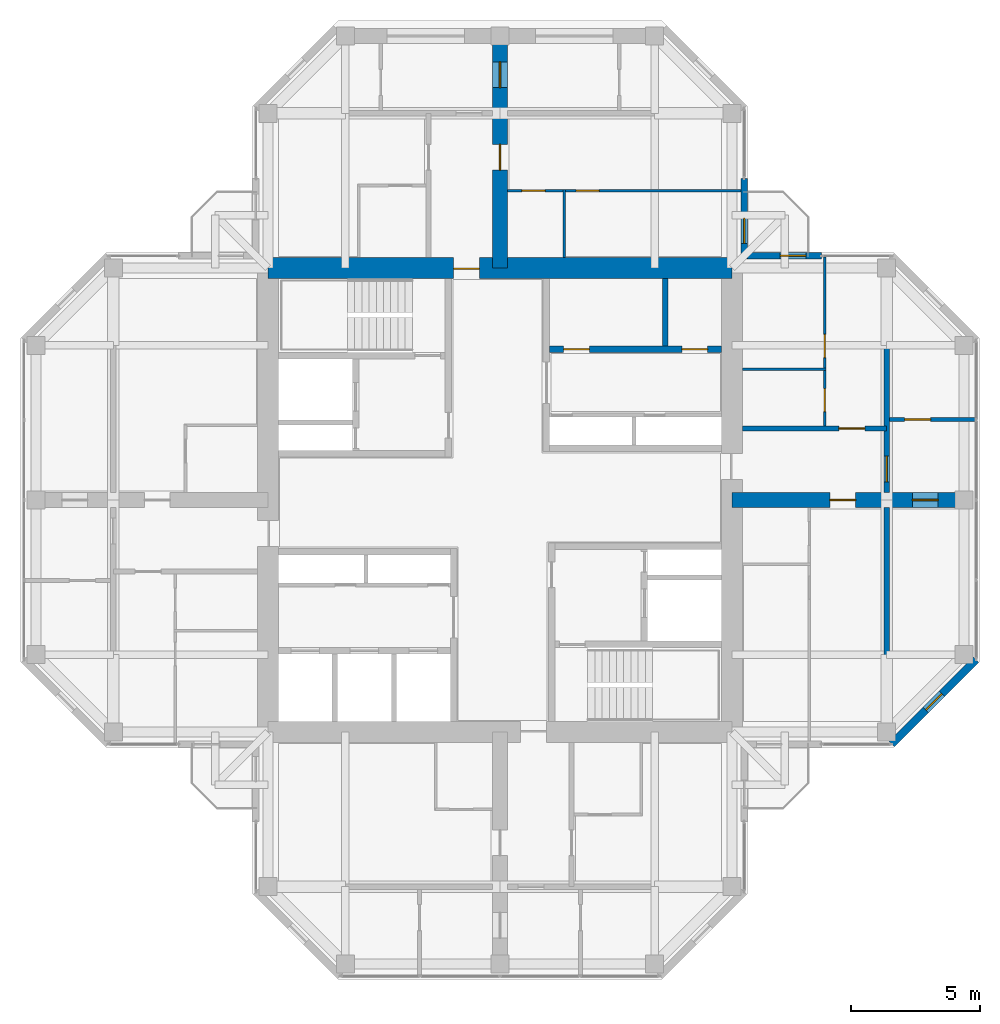
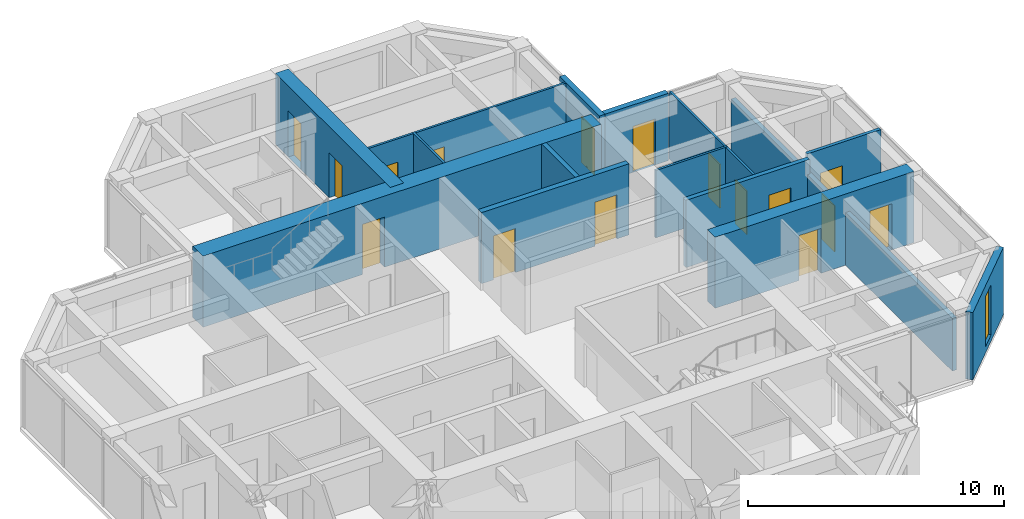
# One storey, part 11 of 13: 16 doors, 16 walls, 1 window, 17 openings.
"""IFC4 building model written with IfcOpenShell, lengths in metres."""

import ifcopenshell
import ifcopenshell.guid

model = None  # the IFC model being written
_history = None  # IfcOwnerHistory: only IFC2X3 demands one
_inside = {}  # id of a spatial element -> (the spatial element, [elements in it])
_under = {}  # id of a project, library or spatial element -> (it, [spatial elements below it])
_declared = {}  # id of a project -> (the project, [libraries it declares])
_typed = {}  # id of a type object -> (the type object, [elements of that type])
_made_of = {}  # id of a material, layer set ... -> (it, [elements and type objects made of it])


def new_model(schema):
    """Start an empty IFC model of exactly this schema.

    Asked for "IFC4X3", IfcOpenShell would pick the latest addendum, in which some entities
    have other attributes; the version numbers below select the first issue.
    IFC2X3 requires an IfcOwnerHistory on every rooted entity: one is made here for all.
    """
    global model, _history
    if schema == "IFC4X3":
        model = ifcopenshell.file(schema_version=(4, 3, 0, 0))
    else:
        model = ifcopenshell.file(schema=schema)
    _inside.clear()
    _under.clear()
    _declared.clear()
    _typed.clear()
    _made_of.clear()
    _history = None
    if model.schema == "IFC2X3":
        org = make("IfcOrganization", Name="unknown")
        user = make(
            "IfcPersonAndOrganization",
            ThePerson=make("IfcPerson", FamilyName="unknown"),
            TheOrganization=org,
        )
        app = make(
            "IfcApplication",
            ApplicationDeveloper=org,
            Version="unknown",
            ApplicationFullName="unknown",
            ApplicationIdentifier="unknown",
        )
        _history = make(
            "IfcOwnerHistory",
            OwningUser=user,
            OwningApplication=app,
            ChangeAction="ADDED",
            CreationDate=0,
        )
    return model


def make(cls, **values):
    """One entity of the class cls with the attributes given. An attribute that is None is left unset."""
    return model.create_entity(
        cls, **{name: value for name, value in values.items() if value is not None}
    )


def rooted(cls, **values):
    """An entity with a GlobalId (a new one), such as an element, a storey or a relation."""
    return make(cls, GlobalId=ifcopenshell.guid.new(), OwnerHistory=_history, **values)


def si_unit(unit_type, name, prefix=None):
    """IfcSIUnit, for example si_unit("LENGTHUNIT", "METRE", prefix="MILLI")."""
    return make("IfcSIUnit", UnitType=unit_type, Prefix=prefix, Name=name)


def assignment(units):
    """IfcUnitAssignment: the units of a project."""
    return None if units is None else make("IfcUnitAssignment", Units=units)


def point(xyz):
    """IfcCartesianPoint."""
    return None if xyz is None else make("IfcCartesianPoint", Coordinates=xyz)


def direction(xyz):
    """IfcDirection."""
    return None if xyz is None else make("IfcDirection", DirectionRatios=xyz)


def frame(location, z_axis=None, x_axis=None):
    """IfcAxis2Placement3D, a coordinate frame: its origin and axes. An axis left out is left unset."""
    return make(
        "IfcAxis2Placement3D",
        Location=point(location),
        Axis=direction(z_axis),
        RefDirection=direction(x_axis),
    )


def frame_2d(location, x_axis=None):
    """IfcAxis2Placement2D, a coordinate frame in the plane: its origin and x axis."""
    return make(
        "IfcAxis2Placement2D", Location=point(location), RefDirection=direction(x_axis)
    )


def origin():
    """The frame at (0, 0, 0) with its axes left unset."""
    return frame((0.0, 0.0, 0.0))


def place(relative_to, where):
    """IfcLocalPlacement: puts the frame where relative to a parent placement (None: the world)."""
    return make(
        "IfcLocalPlacement", PlacementRelTo=relative_to, RelativePlacement=where
    )


def context(
    kind, dimensions, precision=None, world=None, true_north=None, identifier=None
):
    """IfcGeometricRepresentationContext, for example the 3D "Model" context."""
    return make(
        "IfcGeometricRepresentationContext",
        ContextIdentifier=identifier,
        ContextType=kind,
        CoordinateSpaceDimension=dimensions,
        Precision=precision,
        WorldCoordinateSystem=world,
        TrueNorth=true_north,
    )


def subcontext(parent, identifier, kind, view, scale=None):
    """IfcGeometricRepresentationSubContext, for example "Body" below "Model"."""
    return make(
        "IfcGeometricRepresentationSubContext",
        ContextIdentifier=identifier,
        ContextType=kind,
        ParentContext=parent,
        TargetScale=scale,
        TargetView=view,
    )


def project(units=None, contexts=None):
    """IfcProject with its units and contexts."""
    return rooted(
        "IfcProject",
        Name="project",
        RepresentationContexts=contexts,
        UnitsInContext=assignment(units),
    )


def spatial(cls, under=None, at=None, **own):
    """A site, building, storey or space (cls), placed at a placement, below another one or the project."""
    s = rooted(cls, ObjectPlacement=at, **own)
    if under is not None:
        _under.setdefault(under.id(), (under, []))[1].append(s)
    return s


def profile(cls, at=None, kind="AREA", **sizes):
    """A parametric profile (cls). Its sizes go by their IFC names, for example OverallWidth=200.0."""
    return make(cls, ProfileType=kind, Position=at, **sizes)


def rectangle(**sizes):
    """IfcRectangleProfileDef."""
    return profile("IfcRectangleProfileDef", **sizes)


def hollow_rectangle(**sizes):
    """IfcRectangleHollowProfileDef."""
    return profile("IfcRectangleHollowProfileDef", **sizes)


def extrude(swept, where, along, depth):
    """IfcExtrudedAreaSolid: the profile swept, set in the frame where, extruded along a direction by depth."""
    return make(
        "IfcExtrudedAreaSolid",
        SweptArea=swept,
        Position=where,
        ExtrudedDirection=direction(along),
        Depth=depth,
    )


def shape(context_of_items, identifier, shape_type, items):
    """IfcShapeRepresentation: the items that make up one representation, for example the "Body"."""
    return make(
        "IfcShapeRepresentation",
        ContextOfItems=context_of_items,
        RepresentationIdentifier=identifier,
        RepresentationType=shape_type,
        Items=items,
    )


def material(Name=None, Category=None):
    """IfcMaterial."""
    return make("IfcMaterial", Name=Name, Category=Category)


def layer(
    of_material, thickness, ventilated=None, Name=None, Category=None, Priority=None
):
    """IfcMaterialLayer: one layer of a wall or slab, of a material (None: an air gap)."""
    return make(
        "IfcMaterialLayer",
        Material=of_material,
        LayerThickness=thickness,
        IsVentilated=ventilated,
        Name=Name,
        Category=Category,
        Priority=Priority,
    )


def layer_set(layers, Name=None):
    """IfcMaterialLayerSet."""
    return make("IfcMaterialLayerSet", MaterialLayers=layers, LayerSetName=Name)


def constituent(of_material, Name=None, Category=None, fraction=None):
    """IfcMaterialConstituent: one of the materials an element consists of."""
    return make(
        "IfcMaterialConstituent",
        Name=Name,
        Material=of_material,
        Fraction=fraction,
        Category=Category,
    )


def constituent_set(constituents=None, Name=None):
    """IfcMaterialConstituentSet."""
    return make(
        "IfcMaterialConstituentSet", Name=Name, MaterialConstituents=constituents
    )


def made_of(thing, what):
    """Note that an element or type object is made of a material, layer set ...; save() writes the relation."""
    if what is not None:
        _made_of.setdefault(what.id(), (what, []))[1].append(thing)
    return thing


def type_object(cls, material=None, **own):
    """A type object (cls), such as IfcWallType, which elements share."""
    return made_of(rooted(cls, **own), material)


def element(
    cls,
    number,
    at=None,
    inside=None,
    cuts=None,
    type_object=None,
    material=None,
    context=None,
    identifier="Body",
    shape_type=None,
    held_by="IfcProductDefinitionShape",
    body=None,
    shapes=None,
    **own,
):
    """One element of the class cls, such as IfcWall. Its Tag is "e" and its number.

    at: its placement. inside: the storey or other place that contains it. cuts: it is an
    opening in that element (IfcRelVoidsElement). A single representation is given by context,
    identifier, shape_type and body (its items); several are given by shapes. held_by: the class
    of the entity that holds the representations. save() writes the other relations.
    """
    e = rooted(cls, Tag="e%d" % number, ObjectPlacement=at, **own)
    if body is not None:
        shapes = [shape(context, identifier, shape_type, body)]
    if shapes is not None:
        e.Representation = make(held_by, Representations=shapes)
    if inside is not None:
        _inside.setdefault(inside.id(), (inside, []))[1].append(e)
    if cuts is not None:
        rooted(
            "IfcRelVoidsElement", RelatingBuildingElement=cuts, RelatedOpeningElement=e
        )
    if type_object is not None:
        _typed.setdefault(type_object.id(), (type_object, []))[1].append(e)
    return made_of(e, material)


def fill(opening, filler):
    """IfcRelFillsElement: the door or window that sits in an opening."""
    return rooted(
        "IfcRelFillsElement",
        RelatingOpeningElement=opening,
        RelatedBuildingElement=filler,
    )


def aggregate(whole, parts):
    """IfcRelAggregates: a whole, such as a stair, and the parts it consists of."""
    return rooted("IfcRelAggregates", RelatingObject=whole, RelatedObjects=parts)


def save(model, path):
    """Write the relations noted so far, then the file.

    IfcRelAggregates (storeys below a building ...), IfcRelContainedInSpatialStructure (elements
    in a storey), IfcRelDefinesByType, IfcRelAssociatesMaterial and IfcRelDeclares: one each for
    every whole, place, type object, material and project.
    """
    for whole, parts in _under.values():
        aggregate(whole, parts)
    for where, things in _inside.values():
        rooted(
            "IfcRelContainedInSpatialStructure",
            RelatedElements=things,
            RelatingStructure=where,
        )
    for kind, things in _typed.values():
        rooted("IfcRelDefinesByType", RelatedObjects=things, RelatingType=kind)
    for what, things in _made_of.values():
        rooted("IfcRelAssociatesMaterial", RelatedObjects=things, RelatingMaterial=what)
    for by, libraries in _declared.values():
        rooted("IfcRelDeclares", RelatingContext=by, RelatedDefinitions=libraries)
    model.write(path)


model = new_model("IFC4")

# Units and contexts
model_context = context("Model", 3, precision=1e-05, world=origin(), true_north=direction((0.0, 1.0)))
body_context = subcontext(model_context, "Body", "Model", "MODEL_VIEW")
ifc_project = project(units=[si_unit("LENGTHUNIT", "METRE"), si_unit("AREAUNIT", "SQUARE_METRE"), si_unit("VOLUMEUNIT", "CUBIC_METRE"), si_unit("PLANEANGLEUNIT", "RADIAN"), si_unit("MASSUNIT", "GRAM", prefix="KILO")], contexts=[model_context])

# Site, building, storey
site_placement = place(None, origin())
site = spatial("IfcSite", under=ifc_project, at=site_placement, CompositionType="ELEMENT")
building_placement = place(site_placement, origin())
building = spatial("IfcBuilding", under=site, at=building_placement, Name="Torre Cruceta", CompositionType="ELEMENT")
storey_placement = place(building_placement, frame((0.0, 0.0, 281.5)))
storey = spatial("IfcBuildingStorey", under=building, at=storey_placement, Name="L73", CompositionType="ELEMENT", Elevation=281.5)

# Wall
ifc_material_1 = material(Name="Water-resistant plasterboard on steel studs", Category="steel")
ifc_layer_1 = layer(ifc_material_1, 0.10009765625)
ifc_layer_set_1 = layer_set([ifc_layer_1], Name="Water-resistant plasterboard on steel studs")
wall_type_1 = type_object("IfcWallType", Name="BATHROOM WALL 100", PredefinedType="PARTITIONING", material=ifc_layer_set_1)
wall_1_placement = place(storey_placement, frame((2.5, 9.39990234375, 0.0), z_axis=(0.0, 0.0, 1.0), x_axis=(0.0, 1.0, 0.0)))
element("IfcWall", 1, at=wall_1_placement, inside=storey, type_object=wall_type_1, Name="PT4 L73-N-U1RBB", PredefinedType="PARTITIONING", context=body_context, shape_type="SweptSolid", body=[
    extrude(rectangle(XDim=2.650146484375, YDim=0.10009765625, at=frame_2d((1.3251953125, 0.0))), origin(), (0.0, 0.0, 1.0), 3.219970703125),
])

# Wall, openings, doors
wall_2_placement = place(storey_placement, frame((9.344970703125, 12.0, 0.0), z_axis=(0.0, 0.0, 1.0), x_axis=(-1.0, 0.0, 0.0)))
wall_2 = element("IfcWall", 2, at=wall_2_placement, inside=storey, type_object=wall_type_1, Name="PT4 L73-N-U1RBS", PredefinedType="PARTITIONING", context=body_context, shape_type="SweptSolid", body=[
    extrude(rectangle(XDim=9.044921875, YDim=0.10009765625, at=frame_2d((4.5224609375, 0.0))), origin(), (0.0, 0.0, 1.0), 3.219970703125),
])
opening_1_placement = place(wall_2_placement, frame((5.4951171875, 0.0, 0.0)))
opening_1 = element("IfcOpeningElement", 3, at=opening_1_placement, cuts=wall_2, Name="Opening D7", PredefinedType="OPENING", context=body_context, shape_type="SweptSolid", body=[
    extrude(rectangle(XDim=0.89990234375, YDim=2.10009765625, at=frame_2d((0.449951171875, 1.050048828125))), frame((0.0, 0.06005859375, 0.0), z_axis=(0.0, -1.0, 0.0), x_axis=(1.0, 0.0, 0.0)), (0.0, 0.0, 1.0), 0.1201171875),
])
opening_2_placement = place(wall_2_placement, frame((7.594970703125, 0.0, 0.0)))
opening_2 = element("IfcOpeningElement", 4, at=opening_2_placement, cuts=wall_2, Name="Opening D7", PredefinedType="OPENING", context=body_context, shape_type="SweptSolid", body=[
    extrude(rectangle(XDim=0.89990234375, YDim=2.10009765625, at=frame_2d((0.449951171875, 1.050048828125))), frame((0.0, 0.06005859375, 0.0), z_axis=(0.0, -1.0, 0.0), x_axis=(1.0, 0.0, 0.0)), (0.0, 0.0, 1.0), 0.1201171875),
])
ifc_material_2 = material(Name="Timber door", Category="wood")
door_type_1 = type_object("IfcDoorType", Name="BATHROOM DOOR 900X2100", OperationType="SINGLE_SWING_LEFT", PredefinedType="DOOR", material=ifc_material_2)
door_1_placement = place(opening_1_placement, origin())
door_1 = element("IfcDoor", 5, at=door_1_placement, inside=storey, type_object=door_type_1, Name="D7 L73-N-U1RBS-D1", OperationType="SINGLE_SWING_RIGHT", OverallHeight=2.10009765625, OverallWidth=0.89990234375, PredefinedType="DOOR", context=body_context, shape_type="SweptSolid", body=[
    extrude(rectangle(XDim=0.89990234375, YDim=2.10009765625, at=frame_2d((0.449951171875, 1.050048828125))), frame((0.0, 0.02490234375, 0.0), z_axis=(0.0, -1.0, 0.0), x_axis=(1.0, 0.0, 0.0)), (0.0, 0.0, 1.0), 0.050048828125),
])
fill(opening_1, door_1)
door_2_placement = place(opening_2_placement, origin())
door_2 = element("IfcDoor", 6, at=door_2_placement, inside=storey, type_object=door_type_1, Name="D7 L73-N-U1RBS-D2", OperationType="SINGLE_SWING_RIGHT", OverallHeight=2.10009765625, OverallWidth=0.89990234375, PredefinedType="DOOR", context=body_context, shape_type="SweptSolid", body=[
    extrude(rectangle(XDim=0.89990234375, YDim=2.10009765625, at=frame_2d((0.449951171875, 1.050048828125))), frame((0.0, 0.02490234375, 0.0), z_axis=(0.0, -1.0, 0.0), x_axis=(1.0, 0.0, 0.0)), (0.0, 0.0, 1.0), 0.050048828125),
])
fill(opening_2, door_2)

# Wall
wall_3_placement = place(storey_placement, frame((9.39990234375, 5.074951171875, 0.0), z_axis=(0.0, 0.0, 1.0), x_axis=(1.0, 0.0, 0.0)))
element("IfcWall", 7, at=wall_3_placement, inside=storey, type_object=wall_type_1, Name="PT4 L73-E-U1LBB", PredefinedType="PARTITIONING", context=body_context, shape_type="SweptSolid", body=[
    extrude(rectangle(XDim=3.25, YDim=0.10009765625, at=frame_2d((1.625, 0.0))), origin(), (0.0, 0.0, 1.0), 3.219970703125),
])

# Wall, openings, doors
wall_4_placement = place(storey_placement, frame((12.60009765625, 2.875, 0.0), z_axis=(0.0, 0.0, 1.0), x_axis=(0.0, 1.0, 0.0)))
wall_4 = element("IfcWall", 8, at=wall_4_placement, inside=storey, type_object=wall_type_1, Name="PT4 L73-E-U1LBS", PredefinedType="PARTITIONING", context=body_context, shape_type="SweptSolid", body=[
    extrude(rectangle(XDim=6.554931640625, YDim=0.10009765625, at=frame_2d((3.27734375, 0.0))), origin(), (0.0, 0.0, 1.0), 3.219970703125),
])
opening_3_placement = place(wall_4_placement, frame((0.550048828125, 0.0, 0.0)))
opening_3 = element("IfcOpeningElement", 9, at=opening_3_placement, cuts=wall_4, Name="Opening D7", PredefinedType="OPENING", context=body_context, shape_type="SweptSolid", body=[
    extrude(rectangle(XDim=0.89990234375, YDim=2.10009765625, at=frame_2d((0.449951171875, 1.050048828125))), frame((0.0, 0.06005859375, 0.0), z_axis=(0.0, -1.0, 0.0), x_axis=(1.0, 0.0, 0.0)), (0.0, 0.0, 1.0), 0.1201171875),
])
opening_4_placement = place(wall_4_placement, frame((2.64990234375, 0.0, 0.0)))
opening_4 = element("IfcOpeningElement", 10, at=opening_4_placement, cuts=wall_4, Name="Opening D7", PredefinedType="OPENING", context=body_context, shape_type="SweptSolid", body=[
    extrude(rectangle(XDim=0.89990234375, YDim=2.10009765625, at=frame_2d((0.449951171875, 1.050048828125))), frame((0.0, 0.06005859375, 0.0), z_axis=(0.0, -1.0, 0.0), x_axis=(1.0, 0.0, 0.0)), (0.0, 0.0, 1.0), 0.1201171875),
])
door_3_placement = place(opening_3_placement, origin())
door_3 = element("IfcDoor", 11, at=door_3_placement, inside=storey, type_object=door_type_1, Name="D7 L73-E-U1LBS-D1", OperationType="SINGLE_SWING_LEFT", OverallHeight=2.10009765625, OverallWidth=0.89990234375, PredefinedType="DOOR", context=body_context, shape_type="SweptSolid", body=[
    extrude(rectangle(XDim=0.89990234375, YDim=2.10009765625, at=frame_2d((0.449951171875, 1.050048828125))), frame((0.0, 0.02490234375, 0.0), z_axis=(0.0, -1.0, 0.0), x_axis=(1.0, 0.0, 0.0)), (0.0, 0.0, 1.0), 0.050048828125),
])
fill(opening_3, door_3)
door_4_placement = place(opening_4_placement, origin())
door_4 = element("IfcDoor", 12, at=door_4_placement, inside=storey, type_object=door_type_1, Name="D7 L73-E-U1LBS-D2", OperationType="SINGLE_SWING_LEFT", OverallHeight=2.10009765625, OverallWidth=0.89990234375, PredefinedType="DOOR", context=body_context, shape_type="SweptSolid", body=[
    extrude(rectangle(XDim=0.89990234375, YDim=2.10009765625, at=frame_2d((0.449951171875, 1.050048828125))), frame((0.0, 0.02490234375, 0.0), z_axis=(0.0, -1.0, 0.0), x_axis=(1.0, 0.0, 0.0)), (0.0, 0.0, 1.0), 0.050048828125),
])
fill(opening_4, door_4)

ifc_material_3 = material(Name="Concrete G60 (fck 60 MPa)", Category="concrete")
ifc_layer_2 = layer(ifc_material_3, 0.25)
ifc_layer_set_2 = layer_set([ifc_layer_2], Name="Concrete G60 (fck 60 MPa)")
wall_type_2 = type_object("IfcWallType", Name="CORE INNER WALL 250 G60", PredefinedType="SHEAR", material=ifc_layer_set_2)
wall_5_placement = place(storey_placement, frame((1.925048828125, 5.85009765625, 0.0), z_axis=(0.0, 0.0, 1.0), x_axis=(1.0, 0.0, 0.0)))
wall_5 = element("IfcWall", 13, at=wall_5_placement, inside=storey, type_object=wall_type_2, Name="CW4 L73 NE-LV", PredefinedType="SHEAR", context=body_context, shape_type="SweptSolid", body=[
    extrude(rectangle(XDim=6.675048828125, YDim=0.25, at=frame_2d((3.33740234375, 0.0))), origin(), (0.0, 0.0, 1.0), 3.39990234375),
])
opening_5_placement = place(wall_5_placement, frame((0.5458984375, 0.0, 0.0)))
opening_5 = element("IfcOpeningElement", 14, at=opening_5_placement, cuts=wall_5, Name="Opening D3", PredefinedType="OPENING", context=body_context, shape_type="SweptSolid", body=[
    extrude(rectangle(XDim=1.0, YDim=2.10009765625, at=frame_2d((0.5, 1.050048828125))), frame((0.0, 0.135009765625, 0.0), z_axis=(0.0, -1.0, 0.0), x_axis=(1.0, 0.0, 0.0)), (0.0, 0.0, 1.0), 0.27001953125),
])
opening_6_placement = place(wall_5_placement, frame((5.129150390625, 0.0, 0.0)))
opening_6 = element("IfcOpeningElement", 15, at=opening_6_placement, cuts=wall_5, Name="Opening D3", PredefinedType="OPENING", context=body_context, shape_type="SweptSolid", body=[
    extrude(rectangle(XDim=1.0, YDim=2.10009765625, at=frame_2d((0.5, 1.050048828125))), frame((0.0, 0.135009765625, 0.0), z_axis=(0.0, -1.0, 0.0), x_axis=(1.0, 0.0, 0.0)), (0.0, 0.0, 1.0), 0.27001953125),
])
ifc_material_4 = material(Name="Steel DX51D", Category="steel")
ifc_constituent_1 = constituent(ifc_material_4, Name="Leaf and frame")
ifc_material_5 = material(Name="Polyester powder coating", Category="paint")
ifc_constituent_2 = constituent(ifc_material_5, Name="Finish")
ifc_constituent_set_1 = constituent_set(constituents=[ifc_constituent_1, ifc_constituent_2], Name="Steel fire door")
door_type_2 = type_object("IfcDoorType", Name="FIRE DOOR 1000X2100", OperationType="SINGLE_SWING_LEFT", PredefinedType="DOOR", material=ifc_constituent_set_1)
door_5_placement = place(opening_5_placement, origin())
door_5 = element("IfcDoor", 16, at=door_5_placement, inside=storey, type_object=door_type_2, Name="D3 L73 NE-HR1", OperationType="SINGLE_SWING_LEFT", OverallHeight=2.10009765625, OverallWidth=1.0, PredefinedType="DOOR", context=body_context, shape_type="SweptSolid", body=[
    extrude(rectangle(XDim=1.0, YDim=2.10009765625, at=frame_2d((0.5, 1.050048828125))), frame((0.0, 0.02490234375, 0.0), z_axis=(0.0, -1.0, 0.0), x_axis=(1.0, 0.0, 0.0)), (0.0, 0.0, 1.0), 0.050048828125),
])
fill(opening_5, door_5)
door_6_placement = place(opening_6_placement, origin())
door_6 = element("IfcDoor", 17, at=door_6_placement, inside=storey, type_object=door_type_2, Name="D3 L73 NE-HR2", OperationType="SINGLE_SWING_RIGHT", OverallHeight=2.10009765625, OverallWidth=1.0, PredefinedType="DOOR", context=body_context, shape_type="SweptSolid", body=[
    extrude(rectangle(XDim=1.0, YDim=2.10009765625, at=frame_2d((0.5, 1.050048828125))), frame((0.0, 0.02490234375, 0.0), z_axis=(0.0, -1.0, 0.0), x_axis=(1.0, 0.0, 0.0)), (0.0, 0.0, 1.0), 0.050048828125),
])
fill(opening_6, door_6)

# Wall, opening, door
ifc_material_6 = material(Name="Concrete G60 (fck 60 MPa)", Category="concrete")
ifc_layer_3 = layer(ifc_material_6, 0.800048828125)
ifc_layer_set_3 = layer_set([ifc_layer_3], Name="Concrete G60 (fck 60 MPa)")
wall_type_3 = type_object("IfcWallType", Name="CORE WALL 800 G60", PredefinedType="SHEAR", material=ifc_layer_set_3)
wall_6_placement = place(storey_placement, frame((9.0, 9.0, 0.0), z_axis=(0.0, 0.0, 1.0), x_axis=(-1.0, 0.0, 0.0)))
wall_6 = element("IfcWall", 18, at=wall_6_placement, inside=storey, type_object=wall_type_3, Name="CW3 L73 CW-N", PredefinedType="SHEAR", context=body_context, shape_type="SweptSolid", body=[
    extrude(rectangle(XDim=18.0, YDim=0.800048828125, at=frame_2d((9.0, 0.0))), origin(), (0.0, 0.0, 1.0), 3.39990234375),
])
opening_7_placement = place(wall_6_placement, frame((9.800048828125, 0.0, 0.0)))
opening_7 = element("IfcOpeningElement", 19, at=opening_7_placement, cuts=wall_6, Name="Opening D4", PredefinedType="OPENING", context=body_context, shape_type="SweptSolid", body=[
    extrude(rectangle(XDim=1.0, YDim=2.39990234375, at=frame_2d((0.5, 1.199951171875))), frame((0.0, 0.409912109375, 0.0), z_axis=(0.0, -1.0, 0.0), x_axis=(1.0, 0.0, 0.0)), (0.0, 0.0, 1.0), 0.820068359375),
])
ifc_material_7 = material(Name="Steel DX51D", Category="steel")
ifc_constituent_3 = constituent(ifc_material_7, Name="Leaf and frame")
ifc_material_8 = material(Name="Polyester powder coating", Category="paint")
ifc_constituent_4 = constituent(ifc_material_8, Name="Finish")
ifc_constituent_set_2 = constituent_set(constituents=[ifc_constituent_3, ifc_constituent_4], Name="Steel fire door")
door_type_3 = type_object("IfcDoorType", Name="CORE ARM DOOR 1000X2400", OperationType="SINGLE_SWING_RIGHT", PredefinedType="DOOR", material=ifc_constituent_set_2)
door_7_placement = place(opening_7_placement, origin())
door_7 = element("IfcDoor", 20, at=door_7_placement, inside=storey, type_object=door_type_3, Name="D4 L73 CW-N", OperationType="SINGLE_SWING_RIGHT", OverallHeight=2.39990234375, OverallWidth=1.0, PredefinedType="DOOR", context=body_context, shape_type="SweptSolid", body=[
    extrude(rectangle(XDim=1.0, YDim=2.39990234375, at=frame_2d((0.5, 1.199951171875))), frame((0.0, 0.05517578125, 0.0), z_axis=(0.0, -1.0, 0.0), x_axis=(1.0, 0.0, 0.0)), (0.0, 0.0, 1.0), 0.050048828125),
])
fill(opening_7, door_7)

ifc_material_9 = material(Name="Concrete G25 (fck 25 MPa)", Category="concrete")
ifc_layer_4 = layer(ifc_material_9, 0.199951171875)
ifc_layer_set_4 = layer_set([ifc_layer_4], Name="Concrete G25 (fck 25 MPa)")
wall_type_4 = type_object("IfcWallType", Name="CORRIDOR WALL 200", PredefinedType="SOLIDWALL", material=ifc_layer_set_4)
wall_7_placement = place(storey_placement, frame((9.39990234375, 2.77490234375, 0.0), z_axis=(0.0, 0.0, 1.0), x_axis=(1.0, 0.0, 0.0)))
wall_7 = element("IfcWall", 21, at=wall_7_placement, inside=storey, type_object=wall_type_4, Name="PT3 L73-E-CL", PredefinedType="SOLIDWALL", context=body_context, shape_type="SweptSolid", body=[
    extrude(rectangle(XDim=5.60009765625, YDim=0.199951171875, at=frame_2d((2.800048828125, 0.0))), origin(), (0.0, 0.0, 1.0), 3.219970703125),
])
opening_8_placement = place(wall_7_placement, frame((3.75, 0.0, 0.0)))
opening_8 = element("IfcOpeningElement", 22, at=opening_8_placement, cuts=wall_7, Name="Opening D6", PredefinedType="OPENING", context=body_context, shape_type="SweptSolid", body=[
    extrude(rectangle(XDim=1.0, YDim=2.14990234375, at=frame_2d((0.5, 1.074951171875))), frame((0.0, 0.10986328125, 0.0), z_axis=(0.0, -1.0, 0.0), x_axis=(1.0, 0.0, 0.0)), (0.0, 0.0, 1.0), 0.219970703125),
])
ifc_material_10 = material(Name="Timber fire door", Category="wood")
door_type_4 = type_object("IfcDoorType", Name="UNIT ENTRANCE DOOR 1000X2150", OperationType="SINGLE_SWING_LEFT", PredefinedType="DOOR", material=ifc_material_10)
door_8_placement = place(opening_8_placement, origin())
door_8 = element("IfcDoor", 23, at=door_8_placement, inside=storey, type_object=door_type_4, Name="D6 L73-E-CL-D1", OperationType="SINGLE_SWING_LEFT", OverallHeight=2.14990234375, OverallWidth=1.0, PredefinedType="DOOR", context=body_context, shape_type="SweptSolid", body=[
    extrude(rectangle(XDim=1.0, YDim=2.14990234375, at=frame_2d((0.5, 1.074951171875))), frame((0.0, 0.02490234375, 0.0), z_axis=(0.0, -1.0, 0.0), x_axis=(1.0, 0.0, 0.0)), (0.0, 0.0, 1.0), 0.050048828125),
])
fill(opening_8, door_8)

# Wall, opening, window
ifc_material_11 = material(Name="Concrete G30 (fck 30 MPa)", Category="concrete")
ifc_layer_5 = layer(ifc_material_11, 0.300048828125)
ifc_layer_set_5 = layer_set([ifc_layer_5], Name="Concrete G30 (fck 30 MPa)")
wall_type_5 = type_object("IfcWallType", Name="EXPOSED CONCRETE FACADE WALL 300", PredefinedType="SOLIDWALL", material=ifc_layer_set_5)
wall_8_placement = place(storey_placement, frame((15.194580078125, -9.469970703125, 0.0), z_axis=(0.0, 0.0, 1.0), x_axis=(0.707106781187, 0.707106781187, 0.0)))
wall_8 = element("IfcWall", 24, at=wall_8_placement, inside=storey, type_object=wall_type_5, Name="EW1 facade wall L73 E chamfer 01", PredefinedType="SOLIDWALL", context=body_context, shape_type="SweptSolid", body=[
    extrude(rectangle(XDim=4.632080078125, YDim=0.300048828125, at=frame_2d((2.31591796875, 0.0))), origin(), (0.0, 0.0, 1.0), 3.219970703125),
])
opening_9_placement = place(wall_8_placement, frame((1.865966796875, 0.0, 0.300048828125)))
opening_9 = element("IfcOpeningElement", 25, at=opening_9_placement, cuts=wall_8, Name="Opening WN5", PredefinedType="OPENING", context=body_context, shape_type="SweptSolid", body=[
    extrude(rectangle(XDim=0.89990234375, YDim=2.39990234375, at=frame_2d((0.449951171875, 1.199951171875))), frame((0.0, 0.159912109375, 0.0), z_axis=(0.0, -1.0, 0.0), x_axis=(1.0, 0.0, 0.0)), (0.0, 0.0, 1.0), 0.320068359375),
])
ifc_material_12 = material(Name="Aluminium window frame", Category="aluminium")
ifc_constituent_5 = constituent(ifc_material_12, Name="Frame")
ifc_material_13 = material(Name="Laminated insulating glass unit, low-iron clear", Category="glass")
ifc_constituent_6 = constituent(ifc_material_13, Name="Glazing")
ifc_constituent_set_3 = constituent_set(constituents=[ifc_constituent_5, ifc_constituent_6], Name="Aluminium window")
window_type = type_object("IfcWindowType", Name="CHAMFER SLOT WINDOW 900X2400", PartitioningType="SINGLE_PANEL", PredefinedType="WINDOW", material=ifc_constituent_set_3)
window_placement = place(opening_9_placement, origin())
window = element("IfcWindow", 26, at=window_placement, inside=storey, type_object=window_type, Name="WN5 L73 E 1", OverallHeight=2.39990234375, OverallWidth=0.89990234375, PartitioningType="SINGLE_PANEL", PredefinedType="WINDOW", context=body_context, shape_type="SweptSolid", body=[
    extrude(hollow_rectangle(XDim=0.89990234375, YDim=2.39990234375, WallThickness=0.06005859375, at=frame_2d((0.449951171875, 1.199951171875))), frame((0.0, 0.030029296875, 0.0), z_axis=(0.0, -1.0, 0.0), x_axis=(1.0, 0.0, 0.0)), (0.0, 0.0, 1.0), 0.06005859375),
    extrude(rectangle(XDim=0.77880859375, YDim=2.27880859375, at=frame_2d((0.449951171875, 1.199951171875))), frame((0.0, 0.030029296875, 0.0), z_axis=(0.0, -1.0, 0.0), x_axis=(1.0, 0.0, 0.0)), (0.0, 0.0, 1.0), 0.06005859375),
])
fill(opening_9, window)

# Wall
ifc_material_14 = material(Name="Concrete G35 (fck 35 MPa)", Category="concrete")
ifc_layer_6 = layer(ifc_material_14, 0.199951171875)
ifc_layer_set_6 = layer_set([ifc_layer_6], Name="Concrete G35 (fck 35 MPa)")
wall_type_6 = type_object("IfcWallType", Name="LIFT SHAFT WALL 200", PredefinedType="PARTITIONING", material=ifc_layer_set_6)
wall_9_placement = place(storey_placement, frame((6.408447265625, 5.97509765625, 0.0), z_axis=(0.0, 0.0, 1.0), x_axis=(0.0, 1.0, 0.0)))
element("IfcWall", 27, at=wall_9_placement, inside=storey, type_object=wall_type_6, Name="SW1 L73 NE-LS2", PredefinedType="PARTITIONING", context=body_context, shape_type="SweptSolid", body=[
    extrude(rectangle(XDim=2.625, YDim=0.199951171875, at=frame_2d((1.3125, 0.0))), origin(), (0.0, 0.0, 1.0), 3.39990234375),
])

# Wall, opening, door
ifc_material_15 = material(Name="Plasterboard on steel studs", Category="steel")
ifc_layer_7 = layer(ifc_material_15, 0.14990234375)
ifc_layer_set_7 = layer_set([ifc_layer_7], Name="Plasterboard on steel studs")
wall_type_7 = type_object("IfcWallType", Name="PARTITION 150", PredefinedType="PARTITIONING", material=ifc_layer_set_7)
wall_10_placement = place(storey_placement, frame((15.10009765625, 3.117919921875, 0.0), z_axis=(0.0, 0.0, 1.0), x_axis=(1.0, 0.0, 0.0)))
wall_10 = element("IfcWall", 28, at=wall_10_placement, inside=storey, type_object=wall_type_7, Name="PT1 L73-E-ENDX", PredefinedType="PARTITIONING", context=body_context, shape_type="SweptSolid", body=[
    extrude(rectangle(XDim=3.329833984375, YDim=0.14990234375, at=frame_2d((1.6650390625, 0.0))), origin(), (0.0, 0.0, 1.0), 3.219970703125),
])
opening_10_placement = place(wall_10_placement, frame((0.60009765625, 0.0, 0.0)))
opening_10 = element("IfcOpeningElement", 29, at=opening_10_placement, cuts=wall_10, Name="Opening D3", PredefinedType="OPENING", context=body_context, shape_type="SweptSolid", body=[
    extrude(rectangle(XDim=1.0, YDim=2.10009765625, at=frame_2d((0.5, 1.050048828125))), frame((0.0, 0.0849609375, 0.0), z_axis=(0.0, -1.0, 0.0), x_axis=(1.0, 0.0, 0.0)), (0.0, 0.0, 1.0), 0.169921875),
])
door_9_placement = place(opening_10_placement, frame((1.0, 0.0, 0.0), z_axis=(0.0, 0.0, 1.0), x_axis=(-1.0, 0.0, 0.0)))
door_9 = element("IfcDoor", 30, at=door_9_placement, inside=storey, type_object=door_type_2, Name="D3 L73-E-ENDX-D1", OperationType="SINGLE_SWING_RIGHT", OverallHeight=2.10009765625, OverallWidth=1.0, PredefinedType="DOOR", context=body_context, shape_type="SweptSolid", body=[
    extrude(rectangle(XDim=1.0, YDim=2.10009765625, at=frame_2d((0.5, 1.050048828125))), frame((0.0, 0.025146484375, 0.0), z_axis=(0.0, -1.0, 0.0), x_axis=(1.0, 0.0, 0.0)), (0.0, 0.0, 1.0), 0.050048828125),
])
fill(opening_10, door_9)

# Wall, openings, doors
ifc_material_16 = material(Name="Concrete G60 (fck 60 MPa)", Category="concrete")
ifc_layer_8 = layer(ifc_material_16, 0.60009765625)
ifc_layer_set_8 = layer_set([ifc_layer_8], Name="Concrete G60 (fck 60 MPa)")
wall_type_8 = type_object("IfcWallType", Name="SPINE WALL 600 G60", PredefinedType="SHEAR", material=ifc_layer_set_8)
wall_11_placement = place(storey_placement, frame((0.0, 9.0, 0.0), z_axis=(0.0, 0.0, 1.0), x_axis=(0.0, 1.0, 0.0)))
wall_11 = element("IfcWall", 31, at=wall_11_placement, inside=storey, type_object=wall_type_8, Name="SW5 spine wall L73 N", PredefinedType="SHEAR", context=body_context, shape_type="SweptSolid", body=[
    extrude(rectangle(XDim=9.0, YDim=0.60009765625, at=frame_2d((4.5, 0.0))), origin(), (0.0, 0.0, 1.0), 3.39990234375),
])
opening_11_placement = place(wall_11_placement, frame((3.800048828125, 0.0, 0.0)))
opening_11 = element("IfcOpeningElement", 32, at=opening_11_placement, cuts=wall_11, Name="Opening D6", PredefinedType="OPENING", context=body_context, shape_type="SweptSolid", body=[
    extrude(rectangle(XDim=1.0, YDim=2.14990234375, at=frame_2d((0.5, 1.074951171875))), frame((0.0, 0.31005859375, 0.0), z_axis=(0.0, -1.0, 0.0), x_axis=(1.0, 0.0, 0.0)), (0.0, 0.0, 1.0), 0.6201171875),
])
opening_12_placement = place(wall_11_placement, frame((7.0, 0.0, 0.0)))
opening_12 = element("IfcOpeningElement", 33, at=opening_12_placement, cuts=wall_11, Name="Opening D14", PredefinedType="OPENING", context=body_context, shape_type="SweptSolid", body=[
    extrude(rectangle(XDim=1.0, YDim=2.199951171875, at=frame_2d((0.5, 1.10009765625))), frame((0.0, 0.31005859375, 0.0), z_axis=(0.0, -1.0, 0.0), x_axis=(1.0, 0.0, 0.0)), (0.0, 0.0, 1.0), 0.6201171875),
])
ifc_material_17 = material(Name="Steel DX51D", Category="steel")
ifc_constituent_7 = constituent(ifc_material_17, Name="Leaf and frame")
ifc_material_18 = material(Name="Polyester powder coating", Category="paint")
ifc_constituent_8 = constituent(ifc_material_18, Name="Finish")
ifc_material_19 = material(Name="Fire-resisting glass", Category="glass")
ifc_constituent_9 = constituent(ifc_material_19, Name="Vision panel")
ifc_constituent_set_4 = constituent_set(constituents=[ifc_constituent_7, ifc_constituent_8, ifc_constituent_9], Name="Steel fire door with vision panel")
door_type_5 = type_object("IfcDoorType", Name="FIRE DOOR VISION PANEL 1000X2200", OperationType="SINGLE_SWING_RIGHT", PredefinedType="DOOR", material=ifc_constituent_set_4)
door_10_placement = place(opening_12_placement, origin())
door_10 = element("IfcDoor", 34, at=door_10_placement, inside=storey, type_object=door_type_5, Name="D14 L73-N-SP2", OperationType="SINGLE_SWING_RIGHT", OverallHeight=2.199951171875, OverallWidth=1.0, PredefinedType="DOOR", context=body_context, shape_type="SweptSolid", body=[
    extrude(rectangle(XDim=1.0, YDim=2.199951171875, at=frame_2d((0.5, 1.10009765625))), frame((0.0, 0.02490234375, 0.0), z_axis=(0.0, -1.0, 0.0), x_axis=(1.0, 0.0, 0.0)), (0.0, 0.0, 1.0), 0.050048828125),
])
fill(opening_12, door_10)
door_11_placement = place(opening_11_placement, frame((1.0, 0.0, 0.0), z_axis=(0.0, 0.0, 1.0), x_axis=(-1.0, 0.0, 0.0)))
door_11 = element("IfcDoor", 35, at=door_11_placement, inside=storey, type_object=door_type_4, Name="D6 L73-N-SP1", OperationType="SINGLE_SWING_RIGHT", OverallHeight=2.14990234375, OverallWidth=1.0, PredefinedType="DOOR", context=body_context, shape_type="SweptSolid", body=[
    extrude(rectangle(XDim=1.0, YDim=2.14990234375, at=frame_2d((0.5, 1.074951171875))), frame((0.0, 0.025146484375, 0.0), z_axis=(0.0, -1.0, 0.0), x_axis=(1.0, 0.0, 0.0)), (0.0, 0.0, 1.0), 0.050048828125),
])
fill(opening_11, door_11)

wall_12_placement = place(storey_placement, frame((9.0, 0.0, 0.0), z_axis=(0.0, 0.0, 1.0), x_axis=(1.0, 0.0, 0.0)))
wall_12 = element("IfcWall", 36, at=wall_12_placement, inside=storey, type_object=wall_type_8, Name="SW5 spine wall L73 E", PredefinedType="SHEAR", context=body_context, shape_type="SweptSolid", body=[
    extrude(rectangle(XDim=9.0, YDim=0.60009765625, at=frame_2d((4.5, 0.0))), origin(), (0.0, 0.0, 1.0), 3.39990234375),
])
opening_13_placement = place(wall_12_placement, frame((3.800048828125, 0.0, 0.0)))
opening_13 = element("IfcOpeningElement", 37, at=opening_13_placement, cuts=wall_12, Name="Opening D6", PredefinedType="OPENING", context=body_context, shape_type="SweptSolid", body=[
    extrude(rectangle(XDim=1.0, YDim=2.14990234375, at=frame_2d((0.5, 1.074951171875))), frame((0.0, 0.31005859375, 0.0), z_axis=(0.0, -1.0, 0.0), x_axis=(1.0, 0.0, 0.0)), (0.0, 0.0, 1.0), 0.6201171875),
])
opening_14_placement = place(wall_12_placement, frame((7.0, 0.0, 0.0)))
opening_14 = element("IfcOpeningElement", 38, at=opening_14_placement, cuts=wall_12, Name="Opening D14", PredefinedType="OPENING", context=body_context, shape_type="SweptSolid", body=[
    extrude(rectangle(XDim=1.0, YDim=2.199951171875, at=frame_2d((0.5, 1.10009765625))), frame((0.0, 0.31005859375, 0.0), z_axis=(0.0, -1.0, 0.0), x_axis=(1.0, 0.0, 0.0)), (0.0, 0.0, 1.0), 0.6201171875),
])
door_12_placement = place(opening_14_placement, origin())
door_12 = element("IfcDoor", 39, at=door_12_placement, inside=storey, type_object=door_type_5, Name="D14 L73-E-SP2", OperationType="SINGLE_SWING_LEFT", OverallHeight=2.199951171875, OverallWidth=1.0, PredefinedType="DOOR", context=body_context, shape_type="SweptSolid", body=[
    extrude(rectangle(XDim=1.0, YDim=2.199951171875, at=frame_2d((0.5, 1.10009765625))), frame((0.0, 0.02490234375, 0.0), z_axis=(0.0, -1.0, 0.0), x_axis=(1.0, 0.0, 0.0)), (0.0, 0.0, 1.0), 0.050048828125),
])
fill(opening_14, door_12)
door_13_placement = place(opening_13_placement, frame((1.0, 0.0, 0.0), z_axis=(0.0, 0.0, 1.0), x_axis=(-1.0, 0.0, 0.0)))
door_13 = element("IfcDoor", 40, at=door_13_placement, inside=storey, type_object=door_type_4, Name="D6 L73-E-SP1", OperationType="SINGLE_SWING_RIGHT", OverallHeight=2.14990234375, OverallWidth=1.0, PredefinedType="DOOR", context=body_context, shape_type="SweptSolid", body=[
    extrude(rectangle(XDim=1.0, YDim=2.14990234375, at=frame_2d((0.5, 1.074951171875))), frame((0.0, 0.025146484375, 0.0), z_axis=(0.0, -1.0, 0.0), x_axis=(1.0, 0.0, 0.0)), (0.0, 0.0, 1.0), 0.050048828125),
])
fill(opening_13, door_13)

# Wall
ifc_material_20 = material(Name="Concrete G25 (fck 25 MPa)", Category="concrete")
ifc_layer_9 = layer(ifc_material_20, 0.199951171875)
ifc_layer_set_9 = layer_set([ifc_layer_9], Name="Concrete G25 (fck 25 MPa)")
wall_type_9 = type_object("IfcWallType", Name="UNIT SEPARATING WALL 200", PredefinedType="SOLIDWALL", material=ifc_layer_set_9)
wall_13_placement = place(storey_placement, frame((15.0, -8.64990234375, 0.0), z_axis=(0.0, 0.0, 1.0), x_axis=(0.0, 1.0, 0.0)))
element("IfcWall", 41, at=wall_13_placement, inside=storey, type_object=wall_type_9, Name="PT2 L73-E-ENDa", PredefinedType="SOLIDWALL", context=body_context, shape_type="SweptSolid", body=[
    extrude(rectangle(XDim=8.349853515625, YDim=0.199951171875, at=frame_2d((4.1748046875, 0.0))), origin(), (0.0, 0.0, 1.0), 2.52001953125),
])

# Wall, opening, door
wall_14_placement = place(storey_placement, frame((15.0, 0.300048828125, 0.0), z_axis=(0.0, 0.0, 1.0), x_axis=(0.0, 1.0, 0.0)))
wall_14 = element("IfcWall", 42, at=wall_14_placement, inside=storey, type_object=wall_type_9, Name="PT2 L73-E-ENDb", PredefinedType="SOLIDWALL", context=body_context, shape_type="SweptSolid", body=[
    extrude(rectangle(XDim=8.349853515625, YDim=0.199951171875, at=frame_2d((4.1748046875, 0.0))), origin(), (0.0, 0.0, 1.0), 2.52001953125),
])
opening_15_placement = place(wall_14_placement, frame((0.39990234375, 0.0, 0.0)))
opening_15 = element("IfcOpeningElement", 43, at=opening_15_placement, cuts=wall_14, Name="Opening D14", PredefinedType="OPENING", context=body_context, shape_type="SweptSolid", body=[
    extrude(rectangle(XDim=1.0, YDim=2.199951171875, at=frame_2d((0.5, 1.10009765625))), frame((0.0, 0.10986328125, 0.0), z_axis=(0.0, -1.0, 0.0), x_axis=(1.0, 0.0, 0.0)), (0.0, 0.0, 1.0), 0.219970703125),
])
door_14_placement = place(opening_15_placement, frame((1.0, 0.0, 0.0), z_axis=(0.0, 0.0, 1.0), x_axis=(-1.0, 0.0, 0.0)))
door_14 = element("IfcDoor", 44, at=door_14_placement, inside=storey, type_object=door_type_5, Name="D14 L73-E-ENDb-D1", OperationType="SINGLE_SWING_LEFT", OverallHeight=2.199951171875, OverallWidth=1.0, PredefinedType="DOOR", context=body_context, shape_type="SweptSolid", body=[
    extrude(rectangle(XDim=1.0, YDim=2.199951171875, at=frame_2d((0.5, 1.10009765625))), frame((0.0, 0.025146484375, 0.0), z_axis=(0.0, -1.0, 0.0), x_axis=(1.0, 0.0, 0.0)), (0.0, 0.0, 1.0), 0.050048828125),
])
fill(opening_15, door_14)

ifc_material_21 = material(Name="Concrete G30 (fck 30 MPa)", Category="concrete")
ifc_layer_10 = layer(ifc_material_21, 0.25)
ifc_layer_set_10 = layer_set([ifc_layer_10], Name="Concrete G30 (fck 30 MPa)")
wall_type_10 = type_object("IfcWallType", Name="WINTER GARDEN WALL 250", PredefinedType="SOLIDWALL", material=ifc_layer_set_10)
wall_15_placement = place(storey_placement, frame((12.469970703125, 9.469970703125, 0.0), z_axis=(0.0, 0.0, 1.0), x_axis=(-1.0, 0.0, 0.0)))
wall_15 = element("IfcWall", 45, at=wall_15_placement, inside=storey, type_object=wall_type_10, Name="EW2 winter garden wall L73 04", PredefinedType="SOLIDWALL", context=body_context, shape_type="SweptSolid", body=[
    extrude(rectangle(XDim=2.875, YDim=0.25, at=frame_2d((1.4375, 0.0))), origin(), (0.0, 0.0, 1.0), 3.219970703125),
])
opening_16_placement = place(wall_15_placement, frame((0.60009765625, 0.0, 0.0)))
opening_16 = element("IfcOpeningElement", 46, at=opening_16_placement, cuts=wall_15, Name="Opening D10", PredefinedType="OPENING", context=body_context, shape_type="SweptSolid", body=[
    extrude(rectangle(XDim=1.0, YDim=2.199951171875, at=frame_2d((0.5, 1.10009765625))), frame((0.0, 0.135009765625, 0.0), z_axis=(0.0, -1.0, 0.0), x_axis=(1.0, 0.0, 0.0)), (0.0, 0.0, 1.0), 0.27001953125),
])
ifc_material_22 = material(Name="Aluminium door frame", Category="aluminium")
ifc_constituent_10 = constituent(ifc_material_22, Name="Frame")
ifc_material_23 = material(Name="Laminated safety glass", Category="glass")
ifc_constituent_11 = constituent(ifc_material_23, Name="Glazing")
ifc_constituent_set_5 = constituent_set(constituents=[ifc_constituent_10, ifc_constituent_11], Name="Aluminium glazed door")
door_type_6 = type_object("IfcDoorType", Name="BALCONY DOOR 1000X2200", OperationType="SINGLE_SWING_RIGHT", PredefinedType="DOOR", material=ifc_constituent_set_5)
door_15_placement = place(opening_16_placement, origin())
door_15 = element("IfcDoor", 47, at=door_15_placement, inside=storey, type_object=door_type_6, Name="D10 balcony door L73 04", OperationType="SINGLE_SWING_LEFT", OverallHeight=2.199951171875, OverallWidth=1.0, PredefinedType="DOOR", context=body_context, shape_type="SweptSolid", body=[
    extrude(hollow_rectangle(XDim=1.0, YDim=2.199951171875, WallThickness=0.06005859375, at=frame_2d((0.5, 1.10009765625))), frame((0.0, 0.02490234375, 0.0), z_axis=(0.0, -1.0, 0.0), x_axis=(1.0, 0.0, 0.0)), (0.0, 0.0, 1.0), 0.050048828125),
    extrude(rectangle(XDim=0.87890625, YDim=2.078857421875, at=frame_2d((0.5, 1.10009765625))), frame((0.0, 0.02490234375, 0.0), z_axis=(0.0, -1.0, 0.0), x_axis=(1.0, 0.0, 0.0)), (0.0, 0.0, 1.0), 0.050048828125),
])
fill(opening_16, door_15)

wall_16_placement = place(storey_placement, frame((9.469970703125, 9.344970703125, 0.0), z_axis=(0.0, 0.0, 1.0), x_axis=(0.0, 1.0, 0.0)))
wall_16 = element("IfcWall", 48, at=wall_16_placement, inside=storey, type_object=wall_type_10, Name="EW2 winter garden wall L73 05", PredefinedType="SOLIDWALL", context=body_context, shape_type="SweptSolid", body=[
    extrude(rectangle(XDim=3.125, YDim=0.25, at=frame_2d((1.5625, 0.0))), origin(), (0.0, 0.0, 1.0), 3.219970703125),
])
opening_17_placement = place(wall_16_placement, frame((0.60009765625, 0.0, 0.0)))
opening_17 = element("IfcOpeningElement", 49, at=opening_17_placement, cuts=wall_16, Name="Opening D10", PredefinedType="OPENING", context=body_context, shape_type="SweptSolid", body=[
    extrude(rectangle(XDim=1.0, YDim=2.199951171875, at=frame_2d((0.5, 1.10009765625))), frame((0.0, 0.135009765625, 0.0), z_axis=(0.0, -1.0, 0.0), x_axis=(1.0, 0.0, 0.0)), (0.0, 0.0, 1.0), 0.27001953125),
])
door_16_placement = place(opening_17_placement, origin())
door_16 = element("IfcDoor", 50, at=door_16_placement, inside=storey, type_object=door_type_6, Name="D10 balcony door L73 05", OperationType="SINGLE_SWING_LEFT", OverallHeight=2.199951171875, OverallWidth=1.0, PredefinedType="DOOR", context=body_context, shape_type="SweptSolid", body=[
    extrude(hollow_rectangle(XDim=1.0, YDim=2.199951171875, WallThickness=0.06005859375, at=frame_2d((0.5, 1.10009765625))), frame((0.0, 0.02490234375, 0.0), z_axis=(0.0, -1.0, 0.0), x_axis=(1.0, 0.0, 0.0)), (0.0, 0.0, 1.0), 0.050048828125),
    extrude(rectangle(XDim=0.87890625, YDim=2.078857421875, at=frame_2d((0.5, 1.10009765625))), frame((0.0, 0.02490234375, 0.0), z_axis=(0.0, -1.0, 0.0), x_axis=(1.0, 0.0, 0.0)), (0.0, 0.0, 1.0), 0.050048828125),
])
fill(opening_17, door_16)

save(model, "model.ifc")
